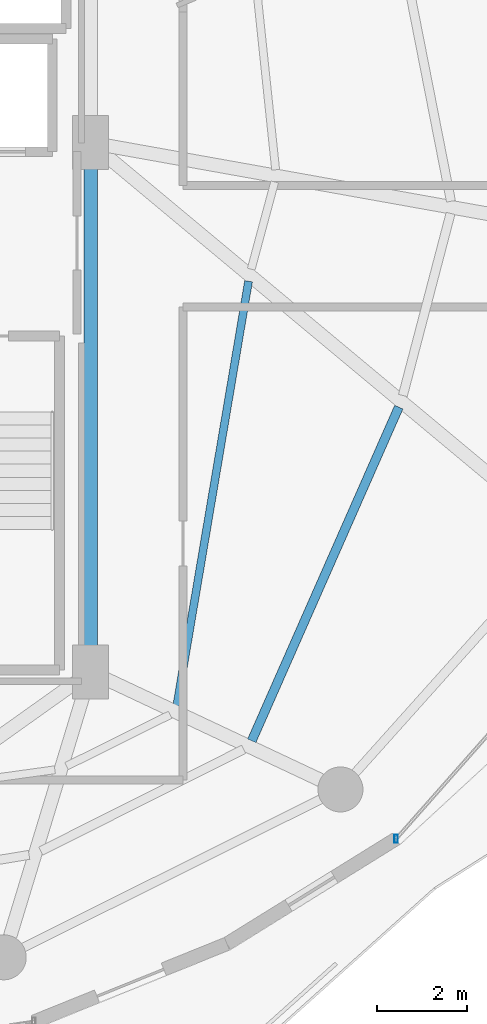
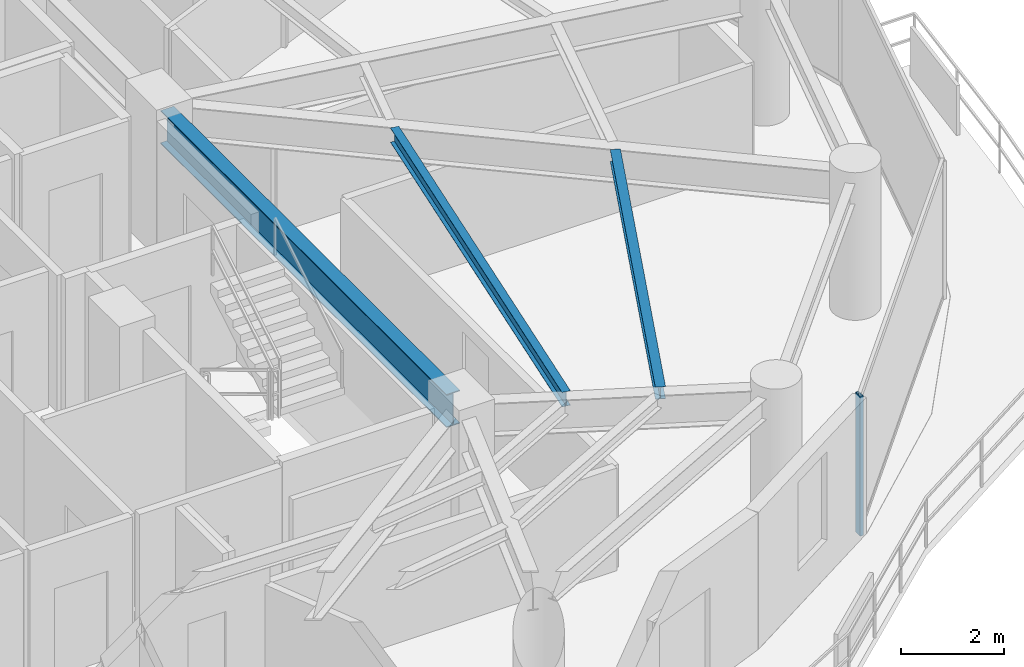
# One storey, part 12 of 29: 3 beams, 1 member, 1 element without a shape of its own.
"""IFC4 building model written with IfcOpenShell, lengths in metres."""

from ifc_helpers import new_model, si_unit, direction, frame, origin, origin_2d, place, context, subcontext, project, spatial, hollow_rectangle, i_section, extrude, material, material_profile, profile_set, type_object, element, aggregate, save


model = new_model("IFC4")

# Units and contexts
model_context = context("Model", 3, precision=1e-05, world=origin(), true_north=direction((0.0, 1.0)))
body_context = subcontext(model_context, "Body", "Model", "MODEL_VIEW")
ifc_project = project(units=[si_unit("LENGTHUNIT", "METRE"), si_unit("AREAUNIT", "SQUARE_METRE"), si_unit("VOLUMEUNIT", "CUBIC_METRE"), si_unit("PLANEANGLEUNIT", "RADIAN"), si_unit("MASSUNIT", "GRAM", prefix="KILO")], contexts=[model_context])

# Site, building, storey
site_placement = place(None, origin())
site = spatial("IfcSite", under=ifc_project, at=site_placement, CompositionType="ELEMENT")
building_placement = place(site_placement, origin())
building = spatial("IfcBuilding", under=site, at=building_placement, Name="Vorneva Point Tower", CompositionType="ELEMENT")
storey_placement = place(building_placement, frame((0.0, 0.0, 167.60009765625)))
storey = spatial("IfcBuildingStorey", under=building, at=storey_placement, Name="L45", CompositionType="ELEMENT", Elevation=167.60009765625)

# Beams
ifc_material_1 = material(Name="Steel S355", Category="steel")
ifc_material_profile_1 = material_profile(ifc_material_1, i_section(OverallWidth=0.300048828125, OverallDepth=0.7880859375, WebThickness=0.014404296875, FlangeThickness=0.02197265625, at=origin_2d()), Name="80Sh1")
ifc_profile_set_1 = profile_set([ifc_material_profile_1], Name="Steel S355")
beam_type_1 = type_object("IfcBeamType", Name="BM-GRD-80Sh1", PredefinedType="USERDEFINED", material=ifc_profile_set_1)
beam_1_placement = place(storey_placement, frame((48.75, 16.77001953125, 2.845947265625), z_axis=(0.0, 1.0, 0.0), x_axis=(-1.0, 0.0, 0.0)))
element("IfcBeam", 1, at=beam_1_placement, inside=storey, type_object=beam_type_1, Name="L45 Core Tie Girder CT3", ObjectType="GIRDER", PredefinedType="USERDEFINED", context=body_context, shape_type="SweptSolid", body=[
    extrude(i_section(OverallWidth=0.300048828125, OverallDepth=0.7880859375, WebThickness=0.014404296875, FlangeThickness=0.02197265625, at=origin_2d()), origin(), (0.0, 0.0, 1.0), 11.10986328125),
])
ifc_material_profile_2 = material_profile(ifc_material_1, i_section(OverallWidth=0.199951171875, OverallDepth=0.291015625, WebThickness=0.008056640625, FlangeThickness=0.010986328125, at=origin_2d()), Name="30Sh1")
ifc_profile_set_2 = profile_set([ifc_material_profile_2], Name="Steel S355")
beam_type_2 = type_object("IfcBeamType", Name="BM-SEC-30Sh1", PredefinedType="BEAM", material=ifc_profile_set_2)
beam_2_placement = place(storey_placement, frame((52.3291015625, 14.91748046875, 3.094482421875), z_axis=(0.403294264682, 0.915070344878, 0.0), x_axis=(-0.915070344878, 0.403294264682, 0.0)))
element("IfcBeam", 2, at=beam_2_placement, inside=storey, type_object=beam_type_2, Name="L45 Secondary Floor Beam 1.15", PredefinedType="BEAM", context=body_context, shape_type="SweptSolid", body=[
    extrude(i_section(OverallWidth=0.199951171875, OverallDepth=0.291015625, WebThickness=0.008056640625, FlangeThickness=0.010986328125, at=origin_2d()), origin(), (0.0, 0.0, 1.0), 8.097412109375),
])
ifc_material_profile_3 = material_profile(ifc_material_1, i_section(OverallWidth=0.174072265625, OverallDepth=0.345947265625, WebThickness=0.006103515625, FlangeThickness=0.009033203125, at=origin_2d()), Name="35B1")
ifc_profile_set_3 = profile_set([ifc_material_profile_3], Name="Steel S355")
beam_type_3 = type_object("IfcBeamType", Name="BM-SEC-35B1", PredefinedType="BEAM", material=ifc_profile_set_3)
beam_3_placement = place(storey_placement, frame((50.66455078125, 15.695556640625, 3.06689453125), z_axis=(0.166688356069, 0.98600963076, 0.0), x_axis=(-0.98600963076, 0.166688356069, 0.0)))
element("IfcBeam", 3, at=beam_3_placement, inside=storey, type_object=beam_type_3, Name="L45 Secondary Floor Beam 2.15", PredefinedType="BEAM", context=body_context, shape_type="SweptSolid", body=[
    extrude(i_section(OverallWidth=0.174072265625, OverallDepth=0.345947265625, WebThickness=0.006103515625, FlangeThickness=0.009033203125, at=origin_2d()), origin(), (0.0, 0.0, 1.0), 9.561279296875),
])

# Curtain wall, member
ifc_material_2 = material(Name="Pale anodised aluminium", Category="aluminium")
curtain_wall_type = type_object("IfcCurtainWallType", Name="CW-RES-SYS", PredefinedType="NOTDEFINED", material=ifc_material_2)
curtain_wall_placement = place(storey_placement, origin())
curtain_wall = element("IfcCurtainWall", 4, at=curtain_wall_placement, inside=storey, type_object=curtain_wall_type, Name="L45 Unitised Curtain Wall CW-L45-R01", PredefinedType="NOTDEFINED")
ifc_material_profile_4 = material_profile(ifc_material_2, hollow_rectangle(XDim=0.074951171875, YDim=0.179931640625, WallThickness=0.00390625, at=origin_2d()), Name="AL-MUL 180x75x4")
ifc_profile_set_4 = profile_set([ifc_material_profile_4], Name="Pale anodised aluminium")
member_type = type_object("IfcMemberType", Name="CW-MUL-180", PredefinedType="MULLION", material=ifc_profile_set_4)
member_placement = place(storey_placement, frame((55.5361328125, 12.74169921875, -0.0400390625), z_axis=(0.0, 0.0, 1.0), x_axis=(1.0, 0.0, 0.0)))
member = element("IfcMember", 5, at=member_placement, type_object=member_type, Name="CW-L45-R01 Mullion 01", PredefinedType="MULLION", context=body_context, shape_type="SweptSolid", body=[
    extrude(hollow_rectangle(XDim=0.074951171875, YDim=0.179931640625, WallThickness=0.00390625, at=origin_2d()), origin(), (0.0, 0.0, 1.0), 3.31005859375),
])
aggregate(curtain_wall, [member])

save(model, "model.ifc")
